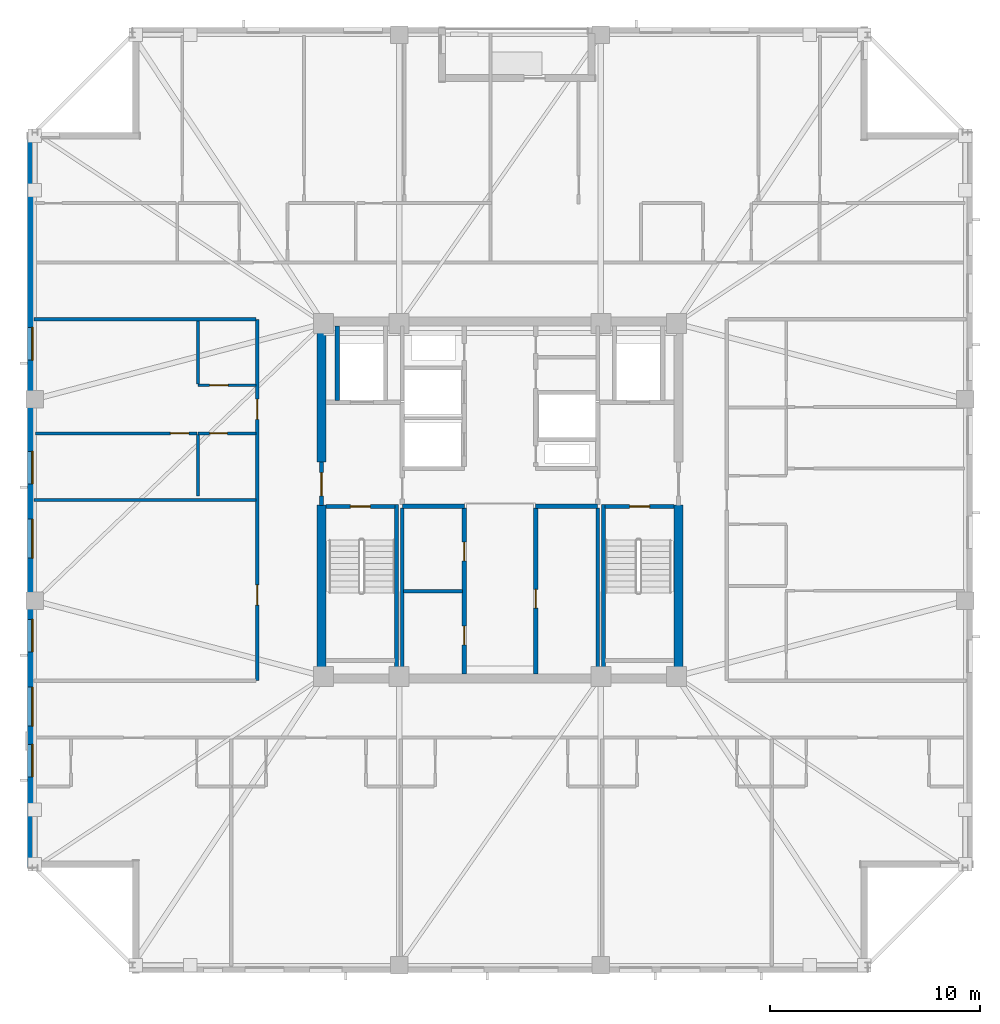
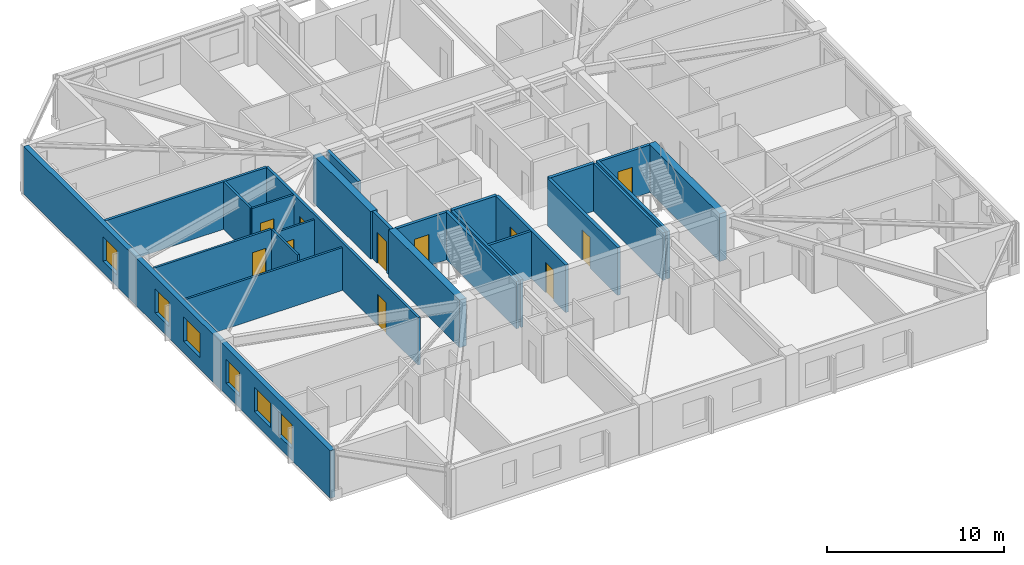
# One storey, part 8 of 17: 25 walls, 11 doors, 6 windows, 17 openings.
"""IFC4 building model written with IfcOpenShell, lengths in metres."""

from ifc_helpers import new_model, si_unit, direction, frame, frame_2d, origin, place, context, subcontext, project, spatial, rectangle, extrude, material, layer, layer_set, type_object, element, fill, save


model = new_model("IFC4")

# Units and contexts
model_context = context("Model", 3, precision=1e-05, world=origin(), true_north=direction((0.0, 1.0)))
body_context = subcontext(model_context, "Body", "Model", "MODEL_VIEW")
ifc_project = project(units=[si_unit("LENGTHUNIT", "METRE"), si_unit("AREAUNIT", "SQUARE_METRE"), si_unit("VOLUMEUNIT", "CUBIC_METRE"), si_unit("PLANEANGLEUNIT", "RADIAN"), si_unit("MASSUNIT", "GRAM", prefix="KILO")], contexts=[model_context])

# Site, building, storey
site_placement = place(None, origin())
site = spatial("IfcSite", under=ifc_project, at=site_placement, CompositionType="ELEMENT")
building_placement = place(site_placement, origin())
building = spatial("IfcBuilding", under=site, at=building_placement, Name="Cairnveth Concourse Tower", CompositionType="ELEMENT")
storey_placement = place(building_placement, frame((0.0, 0.0, 213.0)))
storey = spatial("IfcBuildingStorey", under=building, at=storey_placement, Name="L58", CompositionType="ELEMENT", Elevation=213.0)

# Walls
ifc_material_1 = material(Name="Gypsum Plasterboard Partition", Category="gypsum")
ifc_layer_1 = layer(ifc_material_1, 0.159912109375)
ifc_layer_set_1 = layer_set([ifc_layer_1], Name="Gypsum Plasterboard Partition")
wall_type_1 = type_object("IfcWallType", Name="ACOUSTIC PARTY WALL 180", PredefinedType="PARTITIONING", material=ifc_layer_set_1)
wall_1_placement = place(storey_placement, frame((47.35009765625, 30.7099609375, 0.0), z_axis=(0.0, 0.0, 1.0), x_axis=(0.0, 1.0, 0.0)))
element("IfcWall", 1, at=wall_1_placement, inside=storey, type_object=wall_type_1, Name="Interior Wall IW-L58-025", PredefinedType="PARTITIONING", context=body_context, shape_type="SweptSolid", body=[
    extrude(rectangle(XDim=7.905029296875, YDim=0.159912109375, at=frame_2d((3.95263671875, 0.0))), origin(), (0.0, 0.0, 1.0), 3.2900390625),
])
wall_2_placement = place(storey_placement, frame((47.4150390625, 34.64990234375, 0.0), z_axis=(0.0, 0.0, 1.0), x_axis=(1.0, 0.0, 0.0)))
element("IfcWall", 2, at=wall_2_placement, inside=storey, type_object=wall_type_1, Name="Interior Wall IW-L58-026", PredefinedType="PARTITIONING", context=body_context, shape_type="SweptSolid", body=[
    extrude(rectangle(XDim=2.800048828125, YDim=0.159912109375, at=frame_2d((1.39990234375, 0.0))), origin(), (0.0, 0.0, 1.0), 3.2900390625),
])
wall_3_placement = place(storey_placement, frame((56.64990234375, 30.7099609375, 0.0), z_axis=(0.0, 0.0, 1.0), x_axis=(0.0, 1.0, 0.0)))
element("IfcWall", 3, at=wall_3_placement, inside=storey, type_object=wall_type_1, Name="Interior Wall IW-L58-027", PredefinedType="PARTITIONING", context=body_context, shape_type="SweptSolid", body=[
    extrude(rectangle(XDim=7.905029296875, YDim=0.159912109375, at=frame_2d((3.95263671875, 0.0))), origin(), (0.0, 0.0, 1.0), 3.2900390625),
])

# Wall, openings, doors
wall_4_placement = place(storey_placement, frame((40.449951171875, 30.39990234375, 0.0), z_axis=(0.0, 0.0, 1.0), x_axis=(0.0, 1.0, 0.0)))
wall_4 = element("IfcWall", 4, at=wall_4_placement, inside=storey, type_object=wall_type_1, Name="Interior Wall IW-L58-037", PredefinedType="PARTITIONING", context=body_context, shape_type="SweptSolid", body=[
    extrude(rectangle(XDim=17.2001953125, YDim=0.159912109375, at=frame_2d((8.60009765625, 0.0))), origin(), (0.0, 0.0, 1.0), 3.2900390625),
])
opening_1_placement = place(wall_4_placement, frame((3.60009765625, 0.0, 0.0)))
opening_1 = element("IfcOpeningElement", 5, at=opening_1_placement, cuts=wall_4, Name="Opening ID11", PredefinedType="OPENING", context=body_context, shape_type="SweptSolid", body=[
    extrude(rectangle(XDim=0.9599609375, YDim=2.1201171875, at=frame_2d((0.47998046875, 1.06005859375))), frame((0.0, 0.08984375, 0.0), z_axis=(0.0, -1.0, 0.0), x_axis=(1.0, 0.0, 0.0)), (0.0, 0.0, 1.0), 0.179931640625),
])
opening_2_placement = place(wall_4_placement, frame((12.43994140625, 0.0, 0.0)))
opening_2 = element("IfcOpeningElement", 6, at=opening_2_placement, cuts=wall_4, Name="Opening ID10", PredefinedType="OPENING", context=body_context, shape_type="SweptSolid", body=[
    extrude(rectangle(XDim=0.9599609375, YDim=2.179931640625, at=frame_2d((0.47998046875, 1.08984375))), frame((0.0, 0.08984375, 0.0), z_axis=(0.0, -1.0, 0.0), x_axis=(1.0, 0.0, 0.0)), (0.0, 0.0, 1.0), 0.179931640625),
])
ifc_material_2 = material(Name="Solid Core Hardwood Timber Leaf", Category="wood")
door_type_1 = type_object("IfcDoorType", Name="FLAT ENTRANCE DOOR 960X2150", OperationType="NOTDEFINED", PredefinedType="DOOR", material=ifc_material_2)
door_1_placement = place(opening_2_placement, origin())
door_1 = element("IfcDoor", 7, at=door_1_placement, inside=storey, type_object=door_type_1, Name="Apartment L58W1 Entrance Door", OperationType="SINGLE_SWING_RIGHT", OverallHeight=2.179931640625, OverallWidth=0.9599609375, PredefinedType="DOOR", context=body_context, shape_type="SweptSolid", body=[
    extrude(rectangle(XDim=0.9599609375, YDim=2.179931640625, at=frame_2d((0.47998046875, 1.08984375))), frame((0.0, 0.02490234375, 0.0), z_axis=(0.0, -1.0, 0.0), x_axis=(1.0, 0.0, 0.0)), (0.0, 0.0, 1.0), 0.050048828125),
])
fill(opening_2, door_1)
door_type_2 = type_object("IfcDoorType", Name="INTERIOR SINGLE DOOR 960X2150", OperationType="NOTDEFINED", PredefinedType="DOOR", material=ifc_material_2)
door_2_placement = place(opening_1_placement, origin())
door_2 = element("IfcDoor", 8, at=door_2_placement, inside=storey, type_object=door_type_2, Name="Interior Door DR-L58-046", OperationType="SINGLE_SWING_RIGHT", OverallHeight=2.1201171875, OverallWidth=0.9599609375, PredefinedType="DOOR", context=body_context, shape_type="SweptSolid", body=[
    extrude(rectangle(XDim=0.9599609375, YDim=2.1201171875, at=frame_2d((0.47998046875, 1.06005859375))), frame((0.0, 0.02490234375, 0.0), z_axis=(0.0, -1.0, 0.0), x_axis=(1.0, 0.0, 0.0)), (0.0, 0.0, 1.0), 0.050048828125),
])
fill(opening_1, door_2)

# Walls
wall_5_placement = place(storey_placement, frame((29.804931640625, 47.60009765625, 0.0), z_axis=(0.0, 0.0, 1.0), x_axis=(1.0, 0.0, 0.0)))
element("IfcWall", 9, at=wall_5_placement, inside=storey, type_object=wall_type_1, Name="Interior Wall IW-L58-040", PredefinedType="PARTITIONING", context=body_context, shape_type="SweptSolid", body=[
    extrude(rectangle(XDim=10.580078125, YDim=0.159912109375, at=frame_2d((5.2900390625, 0.0))), origin(), (0.0, 0.0, 1.0), 3.2900390625),
])
ifc_material_3 = material(Name="Concrete N65 (65 MPa)", Category="concrete")
ifc_layer_2 = layer(ifc_material_3, 0.449951171875)
ifc_layer_set_2 = layer_set([ifc_layer_2], Name="Concrete N65 (65 MPa)")
wall_type_2 = type_object("IfcWallType", Name="CORE SHEAR WALL 450", PredefinedType="SHEAR", material=ifc_layer_set_2)
wall_6_placement = place(storey_placement, frame((43.5, 30.715087890625, 0.0), z_axis=(0.0, 0.0, 1.0), x_axis=(0.0, 1.0, 0.0)))
element("IfcWall", 10, at=wall_6_placement, inside=storey, type_object=wall_type_2, Name="Core West Shear Wall S L58", PredefinedType="SHEAR", context=body_context, shape_type="SweptSolid", body=[
    extrude(rectangle(XDim=8.034912109375, YDim=0.449951171875, at=frame_2d((4.017578125, 0.0))), origin(), (0.0, 0.0, 1.0), 3.2900390625),
])
wall_7_placement = place(storey_placement, frame((43.5, 40.800048828125, 0.0), z_axis=(0.0, 0.0, 1.0), x_axis=(0.0, 1.0, 0.0)))
element("IfcWall", 11, at=wall_7_placement, inside=storey, type_object=wall_type_2, Name="Core West Shear Wall N L58", PredefinedType="SHEAR", context=body_context, shape_type="SweptSolid", body=[
    extrude(rectangle(XDim=6.48486328125, YDim=0.449951171875, at=frame_2d((3.242431640625, 0.0))), origin(), (0.0, 0.0, 1.0), 3.2900390625),
])
wall_8_placement = place(storey_placement, frame((60.5, 30.715087890625, 0.0), z_axis=(0.0, 0.0, 1.0), x_axis=(0.0, 1.0, 0.0)))
element("IfcWall", 12, at=wall_8_placement, inside=storey, type_object=wall_type_2, Name="Core East Shear Wall S L58", PredefinedType="SHEAR", context=body_context, shape_type="SweptSolid", body=[
    extrude(rectangle(XDim=8.034912109375, YDim=0.449951171875, at=frame_2d((4.017578125, 0.0))), origin(), (0.0, 0.0, 1.0), 3.2900390625),
])

# Wall, opening, door
ifc_material_4 = material(Name="Concrete N50 (50 MPa)", Category="concrete")
ifc_layer_3 = layer(ifc_material_4, 0.179931640625)
ifc_layer_set_3 = layer_set([ifc_layer_3], Name="Concrete N50 (50 MPa)")
wall_type_3 = type_object("IfcWallType", Name="FIRE SHAFT WALL 180", PredefinedType="SOLIDWALL", material=ifc_layer_set_3)
wall_9_placement = place(storey_placement, frame((43.715087890625, 38.68994140625, 0.0), z_axis=(0.0, 0.0, 1.0), x_axis=(1.0, 0.0, 0.0)))
wall_9 = element("IfcWall", 13, at=wall_9_placement, inside=storey, type_object=wall_type_3, Name="Stair ST-1 Shaft Wall NEAR L58", PredefinedType="SOLIDWALL", context=body_context, shape_type="SweptSolid", body=[
    extrude(rectangle(XDim=3.280029296875, YDim=0.179931640625, at=frame_2d((1.64013671875, 0.0))), origin(), (0.0, 0.0, 1.0), 3.2900390625),
])
opening_3_placement = place(wall_9_placement, frame((1.1650390625, 0.0, 0.0)))
opening_3 = element("IfcOpeningElement", 14, at=opening_3_placement, cuts=wall_9, Name="Opening ID12", PredefinedType="OPENING", context=body_context, shape_type="SweptSolid", body=[
    extrude(rectangle(XDim=0.949951171875, YDim=2.14990234375, at=frame_2d((0.47509765625, 1.074951171875))), frame((0.0, 0.099853515625, 0.0), z_axis=(0.0, -1.0, 0.0), x_axis=(1.0, 0.0, 0.0)), (0.0, 0.0, 1.0), 0.199951171875),
])
ifc_material_5 = material(Name="Steel Grade 350", Category="steel")
door_type_3 = type_object("IfcDoorType", Name="FIRE STAIR DOOR 950X2150", OperationType="NOTDEFINED", PredefinedType="DOOR", material=ifc_material_5)
door_3_placement = place(opening_3_placement, origin())
door_3 = element("IfcDoor", 15, at=door_3_placement, inside=storey, type_object=door_type_3, Name="Stair ST-1 Fire Door L58", OperationType="SINGLE_SWING_LEFT", OverallHeight=2.14990234375, OverallWidth=0.949951171875, PredefinedType="DOOR", context=body_context, shape_type="SweptSolid", body=[
    extrude(rectangle(XDim=0.949951171875, YDim=2.14990234375, at=frame_2d((0.47509765625, 1.074951171875))), frame((0.0, 0.02490234375, 0.0), z_axis=(0.0, -1.0, 0.0), x_axis=(1.0, 0.0, 0.0)), (0.0, 0.0, 1.0), 0.050048828125),
])
fill(opening_3, door_3)

# Wall
wall_10_placement = place(storey_placement, frame((47.070068359375, 38.780029296875, 0.0), z_axis=(0.0, 0.0, 1.0), x_axis=(0.0, -1.0, 0.0)))
element("IfcWall", 16, at=wall_10_placement, inside=storey, type_object=wall_type_3, Name="Stair ST-1 Shaft Wall RGHT L58", PredefinedType="SOLIDWALL", context=body_context, shape_type="SweptSolid", body=[
    extrude(rectangle(XDim=8.067138671875, YDim=0.179931640625, at=frame_2d((4.03369140625, 0.0))), origin(), (0.0, 0.0, 1.0), 3.2900390625),
])

# Wall, opening, door
wall_11_placement = place(storey_placement, frame((57.0048828125, 38.68994140625, 0.0), z_axis=(0.0, 0.0, 1.0), x_axis=(1.0, 0.0, 0.0)))
wall_11 = element("IfcWall", 17, at=wall_11_placement, inside=storey, type_object=wall_type_3, Name="Stair ST-2 Shaft Wall NEAR L58", PredefinedType="SOLIDWALL", context=body_context, shape_type="SweptSolid", body=[
    extrude(rectangle(XDim=3.280029296875, YDim=0.179931640625, at=frame_2d((1.64013671875, 0.0))), origin(), (0.0, 0.0, 1.0), 3.2900390625),
])
opening_4_placement = place(wall_11_placement, frame((1.1650390625, 0.0, 0.0)))
opening_4 = element("IfcOpeningElement", 18, at=opening_4_placement, cuts=wall_11, Name="Opening ID12", PredefinedType="OPENING", context=body_context, shape_type="SweptSolid", body=[
    extrude(rectangle(XDim=0.949951171875, YDim=2.14990234375, at=frame_2d((0.47509765625, 1.074951171875))), frame((0.0, 0.099853515625, 0.0), z_axis=(0.0, -1.0, 0.0), x_axis=(1.0, 0.0, 0.0)), (0.0, 0.0, 1.0), 0.199951171875),
])
door_4_placement = place(opening_4_placement, origin())
door_4 = element("IfcDoor", 19, at=door_4_placement, inside=storey, type_object=door_type_3, Name="Stair ST-2 Fire Door L58", OperationType="SINGLE_SWING_RIGHT", OverallHeight=2.14990234375, OverallWidth=0.949951171875, PredefinedType="DOOR", context=body_context, shape_type="SweptSolid", body=[
    extrude(rectangle(XDim=0.949951171875, YDim=2.14990234375, at=frame_2d((0.47509765625, 1.074951171875))), frame((0.0, 0.02490234375, 0.0), z_axis=(0.0, -1.0, 0.0), x_axis=(1.0, 0.0, 0.0)), (0.0, 0.0, 1.0), 0.050048828125),
])
fill(opening_4, door_4)

# Walls
wall_12_placement = place(storey_placement, frame((56.929931640625, 38.780029296875, 0.0), z_axis=(0.0, 0.0, 1.0), x_axis=(0.0, -1.0, 0.0)))
element("IfcWall", 20, at=wall_12_placement, inside=storey, type_object=wall_type_3, Name="Stair ST-2 Shaft Wall LEFT L58", PredefinedType="SOLIDWALL", context=body_context, shape_type="SweptSolid", body=[
    extrude(rectangle(XDim=8.067138671875, YDim=0.179931640625, at=frame_2d((4.03369140625, 0.0))), origin(), (0.0, 0.0, 1.0), 3.2900390625),
])
ifc_layer_4 = layer(ifc_material_4, 0.199951171875)
ifc_layer_set_4 = layer_set([ifc_layer_4], Name="Concrete N50 (50 MPa)")
wall_type_4 = type_object("IfcWallType", Name="FIRE SHAFT WALL 200", PredefinedType="SOLIDWALL", material=ifc_layer_set_4)
for number, where, z_axis, x_axis, name in (
    (21, (47.35009765625, 38.699951171875, 0.0), (0.0, 0.0, 1.0), (1.0, 0.0, 0.0), "Interior Wall IW-L58-007"),
    (22, (53.699951171875, 38.699951171875, 0.0), (0.0, 0.0, 1.0), (1.0, 0.0, 0.0), "Interior Wall IW-L58-009"),
):
    element("IfcWall", number, at=place(storey_placement, frame(where, z_axis=z_axis, x_axis=x_axis)), inside=storey, type_object=wall_type_4, Name=name, PredefinedType="SOLIDWALL", context=body_context, shape_type="SweptSolid", body=[
        extrude(rectangle(XDim=2.949951171875, YDim=0.199951171875, at=frame_2d((1.47509765625, 0.0))), origin(), (0.0, 0.0, 1.0), 3.2900390625),
    ])

# Wall, openings, doors
wall_13_placement = place(storey_placement, frame((50.300048828125, 30.7099609375, 0.0), z_axis=(0.0, 0.0, 1.0), x_axis=(0.0, 1.0, 0.0)))
wall_13 = element("IfcWall", 23, at=wall_13_placement, inside=storey, type_object=wall_type_4, Name="Interior Wall IW-L58-011", PredefinedType="SOLIDWALL", context=body_context, shape_type="SweptSolid", body=[
    extrude(rectangle(XDim=7.905029296875, YDim=0.199951171875, at=frame_2d((3.95263671875, 0.0))), origin(), (0.0, 0.0, 1.0), 3.2900390625),
])
opening_5_placement = place(wall_13_placement, frame((1.389892578125, 0.0, 0.0)))
opening_5 = element("IfcOpeningElement", 24, at=opening_5_placement, cuts=wall_13, Name="Opening ID26", PredefinedType="OPENING", context=body_context, shape_type="SweptSolid", body=[
    extrude(rectangle(XDim=0.89990234375, YDim=2.1201171875, at=frame_2d((0.449951171875, 1.06005859375))), frame((0.0, 0.10986328125, 0.0), z_axis=(0.0, -1.0, 0.0), x_axis=(1.0, 0.0, 0.0)), (0.0, 0.0, 1.0), 0.219970703125),
])
opening_6_placement = place(wall_13_placement, frame((5.389892578125, 0.0, 0.0)))
opening_6 = element("IfcOpeningElement", 25, at=opening_6_placement, cuts=wall_13, Name="Opening ID26", PredefinedType="OPENING", context=body_context, shape_type="SweptSolid", body=[
    extrude(rectangle(XDim=0.89990234375, YDim=2.1201171875, at=frame_2d((0.449951171875, 1.06005859375))), frame((0.0, 0.10986328125, 0.0), z_axis=(0.0, -1.0, 0.0), x_axis=(1.0, 0.0, 0.0)), (0.0, 0.0, 1.0), 0.219970703125),
])
door_type_4 = type_object("IfcDoorType", Name="CORE TOILET FIRE DOOR 900X2120", OperationType="NOTDEFINED", PredefinedType="DOOR", material=ifc_material_5)
door_5_placement = place(opening_5_placement, origin())
door_5 = element("IfcDoor", 26, at=door_5_placement, inside=storey, type_object=door_type_4, Name="Male WC Door L58", OperationType="SINGLE_SWING_LEFT", OverallHeight=2.1201171875, OverallWidth=0.89990234375, PredefinedType="DOOR", context=body_context, shape_type="SweptSolid", body=[
    extrude(rectangle(XDim=0.89990234375, YDim=2.1201171875, at=frame_2d((0.449951171875, 1.06005859375))), frame((0.0, 0.02490234375, 0.0), z_axis=(0.0, -1.0, 0.0), x_axis=(1.0, 0.0, 0.0)), (0.0, 0.0, 1.0), 0.050048828125),
])
fill(opening_5, door_5)
door_6_placement = place(opening_6_placement, origin())
door_6 = element("IfcDoor", 27, at=door_6_placement, inside=storey, type_object=door_type_4, Name="Female WC Door L58", OperationType="SINGLE_SWING_RIGHT", OverallHeight=2.1201171875, OverallWidth=0.89990234375, PredefinedType="DOOR", context=body_context, shape_type="SweptSolid", body=[
    extrude(rectangle(XDim=0.89990234375, YDim=2.1201171875, at=frame_2d((0.449951171875, 1.06005859375))), frame((0.0, 0.02490234375, 0.0), z_axis=(0.0, -1.0, 0.0), x_axis=(1.0, 0.0, 0.0)), (0.0, 0.0, 1.0), 0.050048828125),
])
fill(opening_6, door_6)

# Wall, opening, door
wall_14_placement = place(storey_placement, frame((53.699951171875, 30.7099609375, 0.0), z_axis=(0.0, 0.0, 1.0), x_axis=(0.0, 1.0, 0.0)))
wall_14 = element("IfcWall", 28, at=wall_14_placement, inside=storey, type_object=wall_type_4, Name="Interior Wall IW-L58-012", PredefinedType="SOLIDWALL", context=body_context, shape_type="SweptSolid", body=[
    extrude(rectangle(XDim=7.905029296875, YDim=0.199951171875, at=frame_2d((3.95263671875, 0.0))), origin(), (0.0, 0.0, 1.0), 3.2900390625),
])
opening_7_placement = place(wall_14_placement, frame((3.139892578125, 0.0, 0.0)))
opening_7 = element("IfcOpeningElement", 29, at=opening_7_placement, cuts=wall_14, Name="Opening ID16", PredefinedType="OPENING", context=body_context, shape_type="SweptSolid", body=[
    extrude(rectangle(XDim=0.89990234375, YDim=2.1201171875, at=frame_2d((0.449951171875, 1.06005859375))), frame((0.0, 0.10986328125, 0.0), z_axis=(0.0, -1.0, 0.0), x_axis=(1.0, 0.0, 0.0)), (0.0, 0.0, 1.0), 0.219970703125),
])
door_type_5 = type_object("IfcDoorType", Name="CORE SERVICE DOOR 900X2100", OperationType="NOTDEFINED", PredefinedType="DOOR", material=ifc_material_5)
door_7_placement = place(opening_7_placement, origin())
door_7 = element("IfcDoor", 30, at=door_7_placement, inside=storey, type_object=door_type_5, Name="Sky Pantry Door L58", OperationType="SINGLE_SWING_LEFT", OverallHeight=2.1201171875, OverallWidth=0.89990234375, PredefinedType="DOOR", context=body_context, shape_type="SweptSolid", body=[
    extrude(rectangle(XDim=0.89990234375, YDim=2.1201171875, at=frame_2d((0.449951171875, 1.06005859375))), frame((0.0, 0.02490234375, 0.0), z_axis=(0.0, -1.0, 0.0), x_axis=(1.0, 0.0, 0.0)), (0.0, 0.0, 1.0), 0.050048828125),
])
fill(opening_7, door_7)

wall_15_placement = place(storey_placement, frame((43.5, 38.75, 0.0), z_axis=(0.0, 0.0, 1.0), x_axis=(0.0, 1.0, 0.0)))
wall_15 = element("IfcWall", 31, at=wall_15_placement, inside=storey, type_object=wall_type_4, Name="Interior Wall IW-L58-015", PredefinedType="SOLIDWALL", context=body_context, shape_type="SweptSolid", body=[
    extrude(rectangle(XDim=2.050048828125, YDim=0.199951171875, at=frame_2d((1.02490234375, 0.0))), origin(), (0.0, 0.0, 1.0), 3.2900390625),
])
opening_8_placement = place(wall_15_placement, frame((0.449951171875, 0.0, 0.0)))
opening_8 = element("IfcOpeningElement", 32, at=opening_8_placement, cuts=wall_15, Name="Opening ID06", PredefinedType="OPENING", context=body_context, shape_type="SweptSolid", body=[
    extrude(rectangle(XDim=1.10009765625, YDim=2.14990234375, at=frame_2d((0.550048828125, 1.074951171875))), frame((0.0, 0.10986328125, 0.0), z_axis=(0.0, -1.0, 0.0), x_axis=(1.0, 0.0, 0.0)), (0.0, 0.0, 1.0), 0.219970703125),
])
door_type_6 = type_object("IfcDoorType", Name="FIRE CORRIDOR DOOR 1100X2150", OperationType="NOTDEFINED", PredefinedType="DOOR", material=ifc_material_5)
door_8_placement = place(opening_8_placement, origin())
door_8 = element("IfcDoor", 33, at=door_8_placement, inside=storey, type_object=door_type_6, Name="West Wing to FF Lobby Door L58", OperationType="SINGLE_SWING_LEFT", OverallHeight=2.14990234375, OverallWidth=1.10009765625, PredefinedType="DOOR", context=body_context, shape_type="SweptSolid", body=[
    extrude(rectangle(XDim=1.10009765625, YDim=2.14990234375, at=frame_2d((0.550048828125, 1.074951171875))), frame((0.0, 0.02490234375, 0.0), z_axis=(0.0, -1.0, 0.0), x_axis=(1.0, 0.0, 0.0)), (0.0, 0.0, 1.0), 0.050048828125),
])
fill(opening_8, door_8)

# Walls
wall_16_placement = place(storey_placement, frame((44.25, 43.735107421875, 0.0), z_axis=(0.0, 0.0, 1.0), x_axis=(0.0, 1.0, 0.0)))
element("IfcWall", 34, at=wall_16_placement, inside=storey, type_object=wall_type_4, Name="Interior Wall IW-L58-019", PredefinedType="SOLIDWALL", context=body_context, shape_type="SweptSolid", body=[
    extrude(rectangle(XDim=3.554931640625, YDim=0.199951171875, at=frame_2d((1.77734375, 0.0))), origin(), (0.0, 0.0, 1.0), 3.2900390625),
])
ifc_layer_5 = layer(ifc_material_1, 0.139892578125)
ifc_layer_set_5 = layer_set([ifc_layer_5], Name="Gypsum Plasterboard Partition")
wall_type_5 = type_object("IfcWallType", Name="GYPSUM STUD PARTITION 140", PredefinedType="PARTITIONING", material=ifc_layer_set_5)
wall_17_placement = place(storey_placement, frame((29.804931640625, 39.0, 0.0), z_axis=(0.0, 0.0, 1.0), x_axis=(1.0, 0.0, 0.0)))
element("IfcWall", 35, at=wall_17_placement, inside=storey, type_object=wall_type_5, Name="Interior Wall IW-L58-089", PredefinedType="PARTITIONING", context=body_context, shape_type="SweptSolid", body=[
    extrude(rectangle(XDim=10.565185546875, YDim=0.139892578125, at=frame_2d((5.28271484375, 0.0))), origin(), (0.0, 0.0, 1.0), 2.9580078125),
])

# Wall, opening, door
wall_18_placement = place(storey_placement, frame((29.8798828125, 42.169921875, 0.0), z_axis=(0.0, 0.0, 1.0), x_axis=(1.0, 0.0, 0.0)))
wall_18 = element("IfcWall", 36, at=wall_18_placement, inside=storey, type_object=wall_type_5, Name="Interior Wall IW-L58-094", PredefinedType="PARTITIONING", context=body_context, shape_type="SweptSolid", body=[
    extrude(rectangle(XDim=7.690185546875, YDim=0.139892578125, at=frame_2d((3.84521484375, 0.0))), origin(), (0.0, 0.0, 1.0), 3.2900390625),
])
opening_9_placement = place(wall_18_placement, frame((6.429931640625, 0.0, 0.0)))
opening_9 = element("IfcOpeningElement", 37, at=opening_9_placement, cuts=wall_18, Name="Opening ID18", PredefinedType="OPENING", context=body_context, shape_type="SweptSolid", body=[
    extrude(rectangle(XDim=0.8798828125, YDim=2.10009765625, at=frame_2d((0.43994140625, 1.050048828125))), frame((0.0, 0.079833984375, 0.0), z_axis=(0.0, -1.0, 0.0), x_axis=(1.0, 0.0, 0.0)), (0.0, 0.0, 1.0), 0.159912109375),
])
door_type_7 = type_object("IfcDoorType", Name="INTERIOR SINGLE DOOR 880X2100", OperationType="NOTDEFINED", PredefinedType="DOOR", material=ifc_material_2)
door_9_placement = place(opening_9_placement, origin())
door_9 = element("IfcDoor", 38, at=door_9_placement, inside=storey, type_object=door_type_7, Name="L58W1 Master Bedroom Door", OperationType="SINGLE_SWING_LEFT", OverallHeight=2.10009765625, OverallWidth=0.8798828125, PredefinedType="DOOR", context=body_context, shape_type="SweptSolid", body=[
    extrude(rectangle(XDim=0.8798828125, YDim=2.10009765625, at=frame_2d((0.43994140625, 1.050048828125))), frame((0.0, 0.02490234375, 0.0), z_axis=(0.0, -1.0, 0.0), x_axis=(1.0, 0.0, 0.0)), (0.0, 0.0, 1.0), 0.050048828125),
])
fill(opening_9, door_9)

ifc_layer_6 = layer(ifc_material_1, 0.1298828125)
ifc_layer_set_6 = layer_set([ifc_layer_6], Name="Gypsum Plasterboard Partition")
wall_type_6 = type_object("IfcWallType", Name="WET AREA PARTITION 140", PredefinedType="PLUMBINGWALL", material=ifc_layer_set_6)
wall_19_placement = place(storey_placement, frame((37.6201171875, 42.169921875, 0.0), z_axis=(0.0, 0.0, 1.0), x_axis=(1.0, 0.0, 0.0)))
wall_19 = element("IfcWall", 39, at=wall_19_placement, inside=storey, type_object=wall_type_6, Name="Interior Wall IW-L58-090", PredefinedType="PLUMBINGWALL", context=body_context, shape_type="SweptSolid", body=[
    extrude(rectangle(XDim=2.75, YDim=0.1298828125, at=frame_2d((1.375, 0.0))), origin(), (0.0, 0.0, 1.0), 2.9580078125),
])
opening_10_placement = place(wall_19_placement, frame((0.550048828125, 0.0, 0.0)))
opening_10 = element("IfcOpeningElement", 40, at=opening_10_placement, cuts=wall_19, Name="Opening ID21", PredefinedType="OPENING", context=body_context, shape_type="SweptSolid", body=[
    extrude(rectangle(XDim=0.85009765625, YDim=2.080078125, at=frame_2d((0.425048828125, 1.0400390625))), frame((0.0, 0.074951171875, 0.0), z_axis=(0.0, -1.0, 0.0), x_axis=(1.0, 0.0, 0.0)), (0.0, 0.0, 1.0), 0.14990234375),
])
door_type_8 = type_object("IfcDoorType", Name="INTERIOR WC DOOR 850X2100", OperationType="NOTDEFINED", PredefinedType="DOOR", material=ifc_material_2)
door_10_placement = place(opening_10_placement, origin())
door_10 = element("IfcDoor", 41, at=door_10_placement, inside=storey, type_object=door_type_8, Name="L58W1 Bathroom Door", OperationType="SINGLE_SWING_LEFT", OverallHeight=2.080078125, OverallWidth=0.85009765625, PredefinedType="DOOR", context=body_context, shape_type="SweptSolid", body=[
    extrude(rectangle(XDim=0.85009765625, YDim=2.080078125, at=frame_2d((0.425048828125, 1.0400390625))), frame((0.0, 0.02490234375, 0.0), z_axis=(0.0, -1.0, 0.0), x_axis=(1.0, 0.0, 0.0)), (0.0, 0.0, 1.0), 0.050048828125),
])
fill(opening_10, door_10)

# Wall
wall_20_placement = place(storey_placement, frame((37.6201171875, 39.179931640625, 0.0), z_axis=(0.0, 0.0, 1.0), x_axis=(0.0, 1.0, 0.0)))
element("IfcWall", 42, at=wall_20_placement, inside=storey, type_object=wall_type_6, Name="Interior Wall IW-L58-091", PredefinedType="PLUMBINGWALL", context=body_context, shape_type="SweptSolid", body=[
    extrude(rectangle(XDim=2.940185546875, YDim=0.1298828125, at=frame_2d((1.47021484375, 0.0))), origin(), (0.0, 0.0, 1.0), 3.2900390625),
])

# Wall, opening, door
wall_21_placement = place(storey_placement, frame((37.6201171875, 44.469970703125, 0.0), z_axis=(0.0, 0.0, 1.0), x_axis=(1.0, 0.0, 0.0)))
wall_21 = element("IfcWall", 43, at=wall_21_placement, inside=storey, type_object=wall_type_6, Name="Interior Wall IW-L58-092", PredefinedType="PLUMBINGWALL", context=body_context, shape_type="SweptSolid", body=[
    extrude(rectangle(XDim=2.75, YDim=0.1298828125, at=frame_2d((1.375, 0.0))), origin(), (0.0, 0.0, 1.0), 3.2900390625),
])
opening_11_placement = place(wall_21_placement, frame((0.550048828125, 0.0, 0.0)))
opening_11 = element("IfcOpeningElement", 44, at=opening_11_placement, cuts=wall_21, Name="Opening ID18", PredefinedType="OPENING", context=body_context, shape_type="SweptSolid", body=[
    extrude(rectangle(XDim=0.8798828125, YDim=2.10009765625, at=frame_2d((0.43994140625, 1.050048828125))), frame((0.0, 0.074951171875, 0.0), z_axis=(0.0, -1.0, 0.0), x_axis=(1.0, 0.0, 0.0)), (0.0, 0.0, 1.0), 0.14990234375),
])
door_11_placement = place(opening_11_placement, origin())
door_11 = element("IfcDoor", 45, at=door_11_placement, inside=storey, type_object=door_type_7, Name="L58W1 Kitchen Door", OperationType="SINGLE_SWING_RIGHT", OverallHeight=2.10009765625, OverallWidth=0.8798828125, PredefinedType="DOOR", context=body_context, shape_type="SweptSolid", body=[
    extrude(rectangle(XDim=0.8798828125, YDim=2.10009765625, at=frame_2d((0.43994140625, 1.050048828125))), frame((0.0, 0.02490234375, 0.0), z_axis=(0.0, -1.0, 0.0), x_axis=(1.0, 0.0, 0.0)), (0.0, 0.0, 1.0), 0.050048828125),
])
fill(opening_11, door_11)

# Wall
wall_22_placement = place(storey_placement, frame((37.6201171875, 44.52001953125, 0.0), z_axis=(0.0, 0.0, 1.0), x_axis=(0.0, 1.0, 0.0)))
element("IfcWall", 46, at=wall_22_placement, inside=storey, type_object=wall_type_6, Name="Interior Wall IW-L58-093", PredefinedType="PLUMBINGWALL", context=body_context, shape_type="SweptSolid", body=[
    extrude(rectangle(XDim=3.014892578125, YDim=0.1298828125, at=frame_2d((1.50732421875, 0.0))), origin(), (0.0, 0.0, 1.0), 3.2900390625),
])

# Wall, openings, windows
ifc_material_6 = material(Name="Melbourne Buff Fired Clay Brick Masonry", Category="masonry")
ifc_layer_7 = layer(ifc_material_6, 0.320068359375)
ifc_layer_set_7 = layer_set([ifc_layer_7], Name="Melbourne Buff Fired Clay Brick Masonry")
wall_type_7 = type_object("IfcWallType", Name="ZONE 3 BRICK PIER SPANDREL WALL 320", PredefinedType="SOLIDWALL", material=ifc_layer_set_7)
wall_23_placement = place(storey_placement, frame((29.659912109375, 21.5, 0.0), z_axis=(0.0, 0.0, 1.0), x_axis=(0.0, 1.0, 0.0)))
wall_23 = element("IfcWall", 47, at=wall_23_placement, inside=storey, type_object=wall_type_7, Name="Exterior Wall EW-L58-S09", PredefinedType="SOLIDWALL", context=body_context, shape_type="SweptSolid", body=[
    extrude(rectangle(XDim=34.701904296875, YDim=0.320068359375, at=frame_2d((17.35107421875, 0.0))), origin(), (0.0, 0.0, 1.0), 3.2900390625),
])
opening_12_placement = place(wall_23_placement, frame((4.3125, 0.0, 0.800048828125)))
opening_12 = element("IfcOpeningElement", 48, at=opening_12_placement, cuts=wall_23, Name="Opening W07", PredefinedType="OPENING", context=body_context, shape_type="SweptSolid", body=[
    extrude(rectangle(XDim=1.550048828125, YDim=1.677978515625, at=frame_2d((0.77490234375, 0.8388671875))), frame((0.0, 0.169921875, 0.0), z_axis=(0.0, -1.0, 0.0), x_axis=(1.0, 0.0, 0.0)), (0.0, 0.0, 1.0), 0.340087890625),
])
opening_13_placement = place(wall_23_placement, frame((6.73779296875, 0.0, 0.800048828125)))
opening_13 = element("IfcOpeningElement", 49, at=opening_13_placement, cuts=wall_23, Name="Opening W08", PredefinedType="OPENING", context=body_context, shape_type="SweptSolid", body=[
    extrude(rectangle(XDim=1.85009765625, YDim=1.677978515625, at=frame_2d((0.925048828125, 0.8388671875))), frame((0.0, 0.169921875, 0.0), z_axis=(0.0, -1.0, 0.0), x_axis=(1.0, 0.0, 0.0)), (0.0, 0.0, 1.0), 0.340087890625),
])
opening_14_placement = place(wall_23_placement, frame((10.26318359375, 0.0, 0.800048828125)))
opening_14 = element("IfcOpeningElement", 50, at=opening_14_placement, cuts=wall_23, Name="Opening W07", PredefinedType="OPENING", context=body_context, shape_type="SweptSolid", body=[
    extrude(rectangle(XDim=1.550048828125, YDim=1.677978515625, at=frame_2d((0.77490234375, 0.8388671875))), frame((0.0, 0.169921875, 0.0), z_axis=(0.0, -1.0, 0.0), x_axis=(1.0, 0.0, 0.0)), (0.0, 0.0, 1.0), 0.340087890625),
])
opening_15_placement = place(wall_23_placement, frame((14.73828125, 0.0, 0.800048828125)))
opening_15 = element("IfcOpeningElement", 51, at=opening_15_placement, cuts=wall_23, Name="Opening W08", PredefinedType="OPENING", context=body_context, shape_type="SweptSolid", body=[
    extrude(rectangle(XDim=1.85009765625, YDim=1.677978515625, at=frame_2d((0.925048828125, 0.8388671875))), frame((0.0, 0.169921875, 0.0), z_axis=(0.0, -1.0, 0.0), x_axis=(1.0, 0.0, 0.0)), (0.0, 0.0, 1.0), 0.340087890625),
])
opening_16_placement = place(wall_23_placement, frame((18.263671875, 0.0, 0.800048828125)))
opening_16 = element("IfcOpeningElement", 52, at=opening_16_placement, cuts=wall_23, Name="Opening W07", PredefinedType="OPENING", context=body_context, shape_type="SweptSolid", body=[
    extrude(rectangle(XDim=1.550048828125, YDim=1.677978515625, at=frame_2d((0.77490234375, 0.8388671875))), frame((0.0, 0.169921875, 0.0), z_axis=(0.0, -1.0, 0.0), x_axis=(1.0, 0.0, 0.0)), (0.0, 0.0, 1.0), 0.340087890625),
])
opening_17_placement = place(wall_23_placement, frame((24.1640625, 0.0, 0.800048828125)))
opening_17 = element("IfcOpeningElement", 53, at=opening_17_placement, cuts=wall_23, Name="Opening W07", PredefinedType="OPENING", context=body_context, shape_type="SweptSolid", body=[
    extrude(rectangle(XDim=1.550048828125, YDim=1.677978515625, at=frame_2d((0.77490234375, 0.8388671875))), frame((0.0, 0.169921875, 0.0), z_axis=(0.0, -1.0, 0.0), x_axis=(1.0, 0.0, 0.0)), (0.0, 0.0, 1.0), 0.340087890625),
])
ifc_material_7 = material(Name="Double Glazed Low-E Clear Glass", Category="glass")
window_type_1 = type_object("IfcWindowType", Name="DEEP-SET APARTMENT LIVING WINDOW 1850X1850", PartitioningType="DOUBLE_PANEL_VERTICAL", PredefinedType="WINDOW", material=ifc_material_7)
window_1_placement = place(opening_13_placement, origin())
window_1 = element("IfcWindow", 54, at=window_1_placement, inside=storey, type_object=window_type_1, Name="Gothic Lancet Window L58-9-2", OverallHeight=1.677978515625, OverallWidth=1.85009765625, PartitioningType="SINGLE_PANEL", PredefinedType="WINDOW", context=body_context, shape_type="SweptSolid", body=[
    extrude(rectangle(XDim=1.85009765625, YDim=1.677978515625, at=frame_2d((0.925048828125, 0.8388671875))), frame((0.0, -0.050048828125, 0.0), z_axis=(0.0, -1.0, 0.0), x_axis=(1.0, 0.0, 0.0)), (0.0, 0.0, 1.0), 0.06005859375),
])
fill(opening_13, window_1)
window_2_placement = place(opening_15_placement, origin())
window_2 = element("IfcWindow", 55, at=window_2_placement, inside=storey, type_object=window_type_1, Name="Gothic Lancet Window L58-9-4", OverallHeight=1.677978515625, OverallWidth=1.85009765625, PartitioningType="SINGLE_PANEL", PredefinedType="WINDOW", context=body_context, shape_type="SweptSolid", body=[
    extrude(rectangle(XDim=1.85009765625, YDim=1.677978515625, at=frame_2d((0.925048828125, 0.8388671875))), frame((0.0, -0.050048828125, 0.0), z_axis=(0.0, -1.0, 0.0), x_axis=(1.0, 0.0, 0.0)), (0.0, 0.0, 1.0), 0.06005859375),
])
fill(opening_15, window_2)
window_type_2 = type_object("IfcWindowType", Name="DEEP-SET APARTMENT WINDOW 1550X1800", PartitioningType="DOUBLE_PANEL_VERTICAL", PredefinedType="WINDOW", material=ifc_material_7)
window_3_placement = place(opening_12_placement, origin())
window_3 = element("IfcWindow", 56, at=window_3_placement, inside=storey, type_object=window_type_2, Name="Gothic Lancet Window L58-9-1", OverallHeight=1.677978515625, OverallWidth=1.550048828125, PartitioningType="SINGLE_PANEL", PredefinedType="WINDOW", context=body_context, shape_type="SweptSolid", body=[
    extrude(rectangle(XDim=1.550048828125, YDim=1.677978515625, at=frame_2d((0.77490234375, 0.8388671875))), frame((0.0, -0.050048828125, 0.0), z_axis=(0.0, -1.0, 0.0), x_axis=(1.0, 0.0, 0.0)), (0.0, 0.0, 1.0), 0.06005859375),
])
fill(opening_12, window_3)
window_4_placement = place(opening_14_placement, origin())
window_4 = element("IfcWindow", 57, at=window_4_placement, inside=storey, type_object=window_type_2, Name="Gothic Lancet Window L58-9-3", OverallHeight=1.677978515625, OverallWidth=1.550048828125, PartitioningType="SINGLE_PANEL", PredefinedType="WINDOW", context=body_context, shape_type="SweptSolid", body=[
    extrude(rectangle(XDim=1.550048828125, YDim=1.677978515625, at=frame_2d((0.77490234375, 0.8388671875))), frame((0.0, -0.050048828125, 0.0), z_axis=(0.0, -1.0, 0.0), x_axis=(1.0, 0.0, 0.0)), (0.0, 0.0, 1.0), 0.06005859375),
])
fill(opening_14, window_4)
window_5_placement = place(opening_16_placement, origin())
window_5 = element("IfcWindow", 58, at=window_5_placement, inside=storey, type_object=window_type_2, Name="Gothic Lancet Window L58-9-5", OverallHeight=1.677978515625, OverallWidth=1.550048828125, PartitioningType="SINGLE_PANEL", PredefinedType="WINDOW", context=body_context, shape_type="SweptSolid", body=[
    extrude(rectangle(XDim=1.550048828125, YDim=1.677978515625, at=frame_2d((0.77490234375, 0.8388671875))), frame((0.0, -0.050048828125, 0.0), z_axis=(0.0, -1.0, 0.0), x_axis=(1.0, 0.0, 0.0)), (0.0, 0.0, 1.0), 0.06005859375),
])
fill(opening_16, window_5)
window_6_placement = place(opening_17_placement, origin())
window_6 = element("IfcWindow", 59, at=window_6_placement, inside=storey, type_object=window_type_2, Name="Gothic Lancet Window L58-9-7", OverallHeight=1.677978515625, OverallWidth=1.550048828125, PartitioningType="SINGLE_PANEL", PredefinedType="WINDOW", context=body_context, shape_type="SweptSolid", body=[
    extrude(rectangle(XDim=1.550048828125, YDim=1.677978515625, at=frame_2d((0.77490234375, 0.8388671875))), frame((0.0, -0.050048828125, 0.0), z_axis=(0.0, -1.0, 0.0), x_axis=(1.0, 0.0, 0.0)), (0.0, 0.0, 1.0), 0.06005859375),
])
fill(opening_17, window_6)

save(model, "model.ifc")
